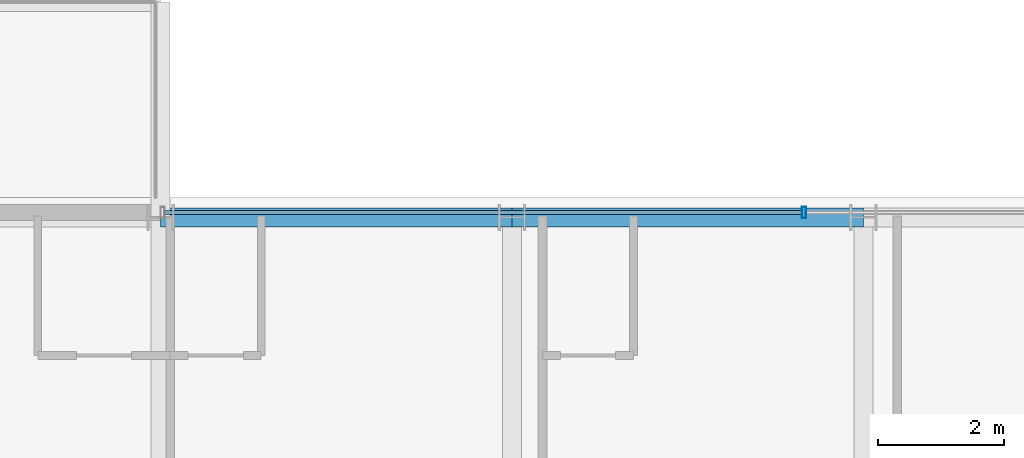
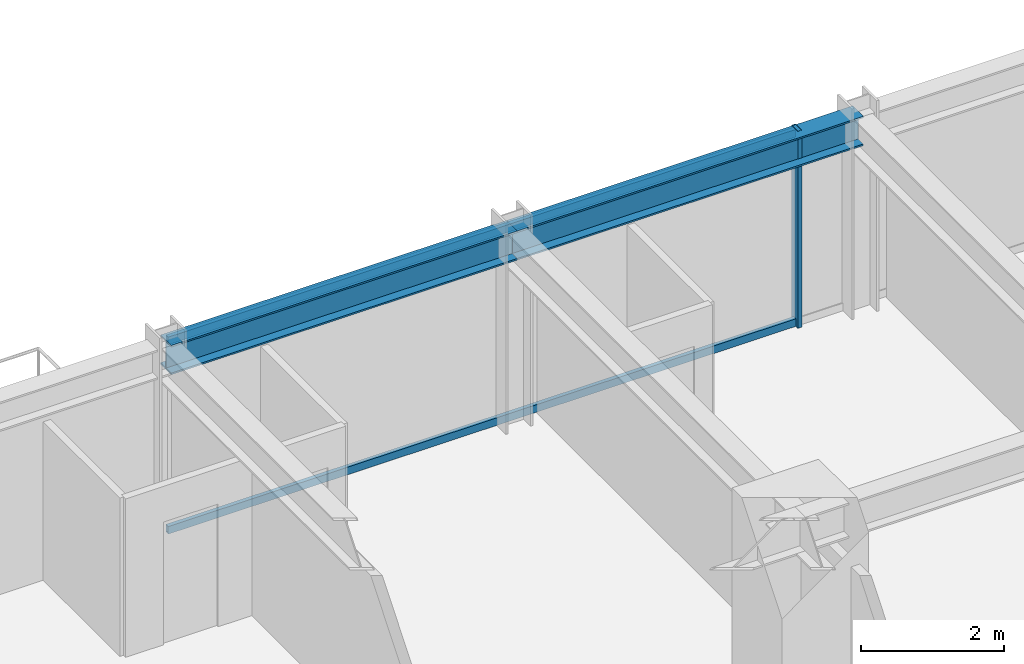
# One storey, part 23 of 35: 3 members, 2 beams, 1 element without a shape of its own.
"""IFC4 building model written with IfcOpenShell, lengths in metres."""

from ifc_helpers import new_model, si_unit, direction, frame, origin, origin_2d, place, context, subcontext, project, spatial, hollow_rectangle, i_section, extrude, source, transform, mapped, material, material_profile, profile_set, type_object, element, aggregate, save


model = new_model("IFC4")

# Units and contexts
model_context = context("Model", 3, precision=1e-05, world=origin(), true_north=direction((0.0, 1.0)))
body_context = subcontext(model_context, "Body", "Model", "MODEL_VIEW")
ifc_project = project(units=[si_unit("LENGTHUNIT", "METRE"), si_unit("AREAUNIT", "SQUARE_METRE"), si_unit("VOLUMEUNIT", "CUBIC_METRE"), si_unit("PLANEANGLEUNIT", "RADIAN"), si_unit("MASSUNIT", "GRAM", prefix="KILO")], contexts=[model_context])

# Site, building, storey
site_placement = place(None, origin())
site = spatial("IfcSite", under=ifc_project, at=site_placement, CompositionType="ELEMENT")
building_placement = place(site_placement, origin())
building = spatial("IfcBuilding", under=site, at=building_placement, Name="Nahalor Promenade Grand Hotel", CompositionType="ELEMENT")
storey_placement = place(building_placement, frame((0.0, 0.0, 39.699951171875)))
storey = spatial("IfcBuildingStorey", under=building, at=storey_placement, Name="L08", CompositionType="ELEMENT", Elevation=39.699951171875)

# Beams
ifc_material_1 = material(Name="Steel S355JR", Category="steel")
ifc_material_profile_1 = material_profile(ifc_material_1, i_section(OverallWidth=0.3, OverallDepth=0.5, WebThickness=0.0145, FlangeThickness=0.028, at=origin_2d()), Name="HEB 500")
ifc_profile_set_1 = profile_set([ifc_material_profile_1], Name="Steel S355JR")
beam_type = type_object("IfcBeamType", Name="Beam-Spandrel-HEB500", PredefinedType="SPANDREL", material=ifc_profile_set_1)
shared_shape_1 = source(origin(), body_context, "Body", "SweptSolid", [
    extrude(i_section(OverallWidth=0.3, OverallDepth=0.5, WebThickness=0.0145, FlangeThickness=0.028, at=origin_2d()), origin(), (0.0, 0.0, 1.0), 5.599853515625),
])
beam_1_placement = place(storey_placement, frame((-8.39990234375, 25.080078125, 3.1201171875), z_axis=(1.0, 0.0, 0.0), x_axis=(0.0, 1.0, 0.0)))
element("IfcBeam", 1, at=beam_1_placement, inside=storey, type_object=beam_type, Name="BM-L08-SP-N-1", PredefinedType="SPANDREL", context=body_context, shape_type="MappedRepresentation", body=[
    mapped(shared_shape_1, transform((0.0, 0.0, 0.0), scale=1.0)),
])
shared_shape_2 = source(origin(), body_context, "Body", "SweptSolid", [
    extrude(i_section(OverallWidth=0.3, OverallDepth=0.5, WebThickness=0.0145, FlangeThickness=0.028, at=origin_2d()), origin(), (0.0, 0.0, 1.0), 5.60009765625),
])
beam_2_placement = place(storey_placement, frame((-2.800048828125, 25.080078125, 3.1201171875), z_axis=(1.0, 0.0, 0.0), x_axis=(0.0, 1.0, 0.0)))
element("IfcBeam", 2, at=beam_2_placement, inside=storey, type_object=beam_type, Name="BM-L08-SP-N-2", PredefinedType="SPANDREL", context=body_context, shape_type="MappedRepresentation", body=[
    mapped(shared_shape_2, transform((0.0, 0.0, 0.0), scale=1.0)),
])

# Curtain wall, members
ifc_material_2 = material(Name="Anodised Bronze Aluminium EN AW-6063 T6", Category="aluminium")
curtain_wall_type = type_object("IfcCurtainWallType", Name="CW2 Typical Hotel Flush Bronze Unitised Curtain Wall", PredefinedType="USERDEFINED", material=ifc_material_2)
curtain_wall_placement = place(storey_placement, origin())
curtain_wall = element("IfcCurtainWall", 3, at=curtain_wall_placement, inside=storey, type_object=curtain_wall_type, Name="L08 Curtain Wall CW-L08-N-3", ObjectType="UNITISED_CURTAIN_WALL", PredefinedType="USERDEFINED")
ifc_material_profile_2 = material_profile(ifc_material_2, hollow_rectangle(XDim=0.065, YDim=0.18, WallThickness=0.004, at=origin_2d()), Name="CWM 65x180x4")
ifc_profile_set_2 = profile_set([ifc_material_profile_2], Name="Anodised Bronze Aluminium EN AW-6063 T6")
member_type_1 = type_object("IfcMemberType", Name="CWM2 Typical Bronze Mullion 65x180", PredefinedType="MULLION", material=ifc_profile_set_2)
shared_shape_3 = source(origin(), body_context, "Body", "SweptSolid", [
    extrude(hollow_rectangle(XDim=0.065, YDim=0.18, WallThickness=0.004, at=origin_2d()), origin(), (0.0, 0.0, 1.0), 3.3701171875),
])
member_1_placement = place(storey_placement, frame((1.853271484375, 25.159912109375, 0.0), z_axis=(0.0, 0.0, 1.0), x_axis=(1.0, 0.0, 0.0)))
member_1 = element("IfcMember", 4, at=member_1_placement, type_object=member_type_1, Name="CW-L08-N-3 Mullion 1", PredefinedType="MULLION", context=body_context, shape_type="MappedRepresentation", body=[
    mapped(shared_shape_3, transform((0.0, 0.0, 0.0), scale=1.0)),
])
ifc_material_profile_3 = material_profile(ifc_material_2, hollow_rectangle(XDim=0.065, YDim=0.13, WallThickness=0.004, at=origin_2d()), Name="CWT 65x130x4")
ifc_profile_set_3 = profile_set([ifc_material_profile_3], Name="Anodised Bronze Aluminium EN AW-6063 T6")
member_type_2 = type_object("IfcMemberType", Name="CWT2 Typical Bronze Transom 65x130", PredefinedType="USERDEFINED", material=ifc_profile_set_3)
shared_shape_4 = source(origin(), body_context, "Body", "SweptSolid", [
    extrude(hollow_rectangle(XDim=0.065, YDim=0.13, WallThickness=0.004, at=origin_2d()), origin(), (0.0, 0.0, 1.0), 10.15576171875),
])
member_2_placement = place(storey_placement, frame((-8.3349609375, 25.159912109375, 0.06494140625), z_axis=(1.0, 0.0, 0.0), x_axis=(0.0, 1.0, 0.0)))
member_2 = element("IfcMember", 5, at=member_2_placement, type_object=member_type_2, Name="CW-L08-N-3 Transom 0-0", ObjectType="TRANSOM", PredefinedType="USERDEFINED", context=body_context, shape_type="MappedRepresentation", body=[
    mapped(shared_shape_4, transform((0.0, 0.0, 0.0), scale=1.0)),
])
member_3_placement = place(storey_placement, frame((-8.3349609375, 25.159912109375, 3.304931640625), z_axis=(1.0, 0.0, 0.0), x_axis=(0.0, 1.0, 0.0)))
member_3 = element("IfcMember", 6, at=member_3_placement, type_object=member_type_2, Name="CW-L08-N-3 Transom 0-1", ObjectType="TRANSOM", PredefinedType="USERDEFINED", context=body_context, shape_type="MappedRepresentation", body=[
    mapped(shared_shape_4, transform((0.0, 0.0, 0.0), scale=1.0)),
])
aggregate(curtain_wall, [member_1, member_2, member_3])

save(model, "model.ifc")
